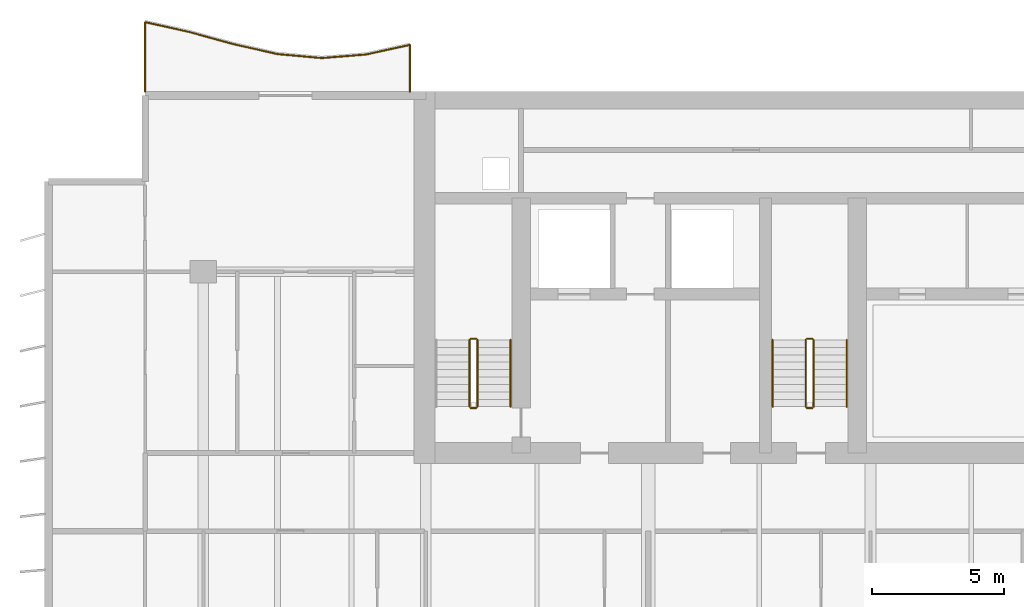
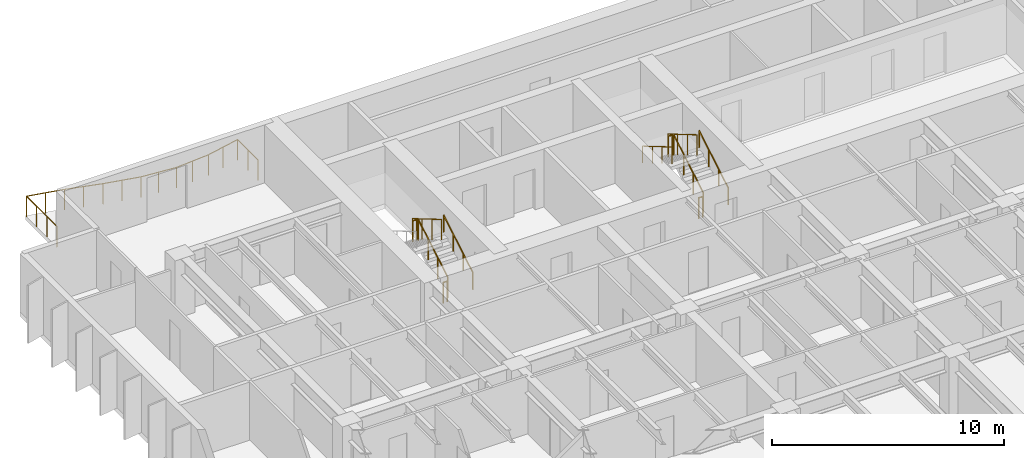
# One storey, part 13 of 15: 12 railings.
"""IFC4 building model written with IfcOpenShell, lengths in metres."""

from ifc_helpers import new_model, si_unit, direction, frame, origin, origin_2d, place, context, subcontext, project, spatial, circle, extrude, material, type_object, element, save


model = new_model("IFC4")

# Units and contexts
model_context = context("Model", 3, precision=1e-05, world=origin(), true_north=direction((0.0, 1.0)))
body_context = subcontext(model_context, "Body", "Model", "MODEL_VIEW")
ifc_project = project(units=[si_unit("LENGTHUNIT", "METRE"), si_unit("AREAUNIT", "SQUARE_METRE"), si_unit("VOLUMEUNIT", "CUBIC_METRE"), si_unit("PLANEANGLEUNIT", "RADIAN"), si_unit("MASSUNIT", "GRAM", prefix="KILO")], contexts=[model_context])

# Site, building, storey
site_placement = place(None, origin())
site = spatial("IfcSite", under=ifc_project, at=site_placement, CompositionType="ELEMENT")
building_placement = place(site_placement, origin())
building = spatial("IfcBuilding", under=site, at=building_placement, Name="Caelmar Bay Residences", CompositionType="ELEMENT")
storey_placement = place(building_placement, frame((0.0, 0.0, 132.300048828125)))
storey = spatial("IfcBuildingStorey", under=building, at=storey_placement, Name="L36", CompositionType="ELEMENT", Elevation=132.300048828125)

# Railings
ifc_material_1 = material(Name="Anodised bronze handrail with laminated hurricane glass infill", Category="glass")
railing_type_1 = type_object("IfcRailingType", Name="RL-BAL-1100", PredefinedType="BALUSTRADE", material=ifc_material_1)
railing_1_placement = place(storey_placement, frame((17.699951171875, 50.60009765625, 0.0)))
element("IfcRailing", 1, at=railing_1_placement, inside=storey, type_object=railing_type_1, Name="L36 north_west Balcony Balustrade", PredefinedType="BALUSTRADE", context=body_context, shape_type="SweptSolid", body=[
    extrude(circle(Radius=0.02392578125, at=origin_2d()), frame((0.0, 0.0, 1.076171875), z_axis=(0.0, 1.0, 0.0), x_axis=(-1.0, 0.0, 0.0)), (0.0, 0.0, 1.0), 1.766845703125),
    extrude(circle(Radius=0.02392578125, at=origin_2d()), frame((0.0, 1.766845703125, 1.076171875), z_axis=(-0.976912151589, -0.213641400663, 0.0), x_axis=(0.213641400663, -0.976912151589, 0.0)), (0.0, 0.0, 1.0), 1.7060546875),
    extrude(circle(Radius=0.02392578125, at=origin_2d()), frame((-1.666748046875, 1.40234375, 1.076171875), z_axis=(-0.996862466726, -0.079153158067, 0.0), x_axis=(0.079153158067, -0.996862466726, 0.0)), (0.0, 0.0, 1.0), 1.671630859375),
    extrude(circle(Radius=0.02392578125, at=origin_2d()), frame((-3.333251953125, 1.27001953125, 1.076171875), z_axis=(-0.995980037416, 0.08957547136, 0.0), x_axis=(-0.08957547136, -0.995980037416, 0.0)), (0.0, 0.0, 1.0), 1.673583984375),
    extrude(circle(Radius=0.02392578125, at=origin_2d()), frame((-5.0, 1.419921875, 1.076171875), z_axis=(-0.975550811442, 0.219774007324, 0.0), x_axis=(-0.219774007324, -0.975550811442, 0.0)), (0.0, 0.0, 1.0), 1.70849609375),
    extrude(circle(Radius=0.02392578125, at=origin_2d()), frame((-6.666748046875, 1.79541015625, 1.076171875), z_axis=(-0.963993866583, 0.265924472718, 0.0), x_axis=(-0.265924472718, -0.963993866583, 0.0)), (0.0, 0.0, 1.0), 1.728759765625),
    extrude(circle(Radius=0.02392578125, at=origin_2d()), frame((-8.333251953125, 2.255126953125, 1.076171875), z_axis=(-0.976038819589, 0.21759646747, 0.0), x_axis=(-0.21759646747, -0.976038819589, 0.0)), (0.0, 0.0, 1.0), 1.707763671875),
    extrude(circle(Radius=0.02392578125, at=origin_2d()), frame((-10.0, 2.626708984375, 1.076171875), z_axis=(0.0, -1.0, 0.0), x_axis=(1.0, 0.0, 0.0)), (0.0, 0.0, 1.0), 2.626708984375),
    extrude(circle(Radius=0.02099609375, at=origin_2d()), origin(), (0.0, 0.0, 1.0), 1.052001953125),
    extrude(circle(Radius=0.02099609375, at=origin_2d()), frame((0.0, 0.88330078125, 0.0)), (0.0, 0.0, 1.0), 1.052001953125),
    extrude(circle(Radius=0.02099609375, at=origin_2d()), frame((0.0, 1.766845703125, 0.0)), (0.0, 0.0, 1.0), 1.052001953125),
    extrude(circle(Radius=0.02099609375, at=origin_2d()), frame((-0.83349609375, 1.58447265625, 0.0)), (0.0, 0.0, 1.0), 1.052001953125),
    extrude(circle(Radius=0.02099609375, at=origin_2d()), frame((-1.666748046875, 1.40234375, 0.0)), (0.0, 0.0, 1.0), 1.052001953125),
    extrude(circle(Radius=0.02099609375, at=origin_2d()), frame((-2.5, 1.336181640625, 0.0)), (0.0, 0.0, 1.0), 1.052001953125),
    extrude(circle(Radius=0.02099609375, at=origin_2d()), frame((-3.333251953125, 1.27001953125, 0.0)), (0.0, 0.0, 1.0), 1.052001953125),
    extrude(circle(Radius=0.02099609375, at=origin_2d()), frame((-4.16650390625, 1.344970703125, 0.0)), (0.0, 0.0, 1.0), 1.052001953125),
    extrude(circle(Radius=0.02099609375, at=origin_2d()), frame((-5.0, 1.419921875, 0.0)), (0.0, 0.0, 1.0), 1.052001953125),
    extrude(circle(Radius=0.02099609375, at=origin_2d()), frame((-5.83349609375, 1.607666015625, 0.0)), (0.0, 0.0, 1.0), 1.052001953125),
    extrude(circle(Radius=0.02099609375, at=origin_2d()), frame((-6.666748046875, 1.79541015625, 0.0)), (0.0, 0.0, 1.0), 1.052001953125),
    extrude(circle(Radius=0.02099609375, at=origin_2d()), frame((-7.5, 2.025390625, 0.0)), (0.0, 0.0, 1.0), 1.052001953125),
    extrude(circle(Radius=0.02099609375, at=origin_2d()), frame((-8.333251953125, 2.255126953125, 0.0)), (0.0, 0.0, 1.0), 1.052001953125),
    extrude(circle(Radius=0.02099609375, at=origin_2d()), frame((-9.16650390625, 2.44091796875, 0.0)), (0.0, 0.0, 1.0), 1.052001953125),
    extrude(circle(Radius=0.02099609375, at=origin_2d()), frame((-10.0, 2.626708984375, 0.0)), (0.0, 0.0, 1.0), 1.052001953125),
    extrude(circle(Radius=0.02099609375, at=origin_2d()), frame((-10.0, 1.751220703125, 0.0)), (0.0, 0.0, 1.0), 1.052001953125),
    extrude(circle(Radius=0.02099609375, at=origin_2d()), frame((-10.0, 0.87548828125, 0.0)), (0.0, 0.0, 1.0), 1.052001953125),
    extrude(circle(Radius=0.02099609375, at=origin_2d()), frame((-10.0, 0.0, 0.0)), (0.0, 0.0, 1.0), 1.052001953125),
])
ifc_material_2 = material(Name="Painted galvanized steel stair guard 1100 mm", Category="steel")
railing_type_2 = type_object("IfcRailingType", Name="RL-GRD-1100", PredefinedType="GUARDRAIL", material=ifc_material_2)
railing_2_placement = place(storey_placement, frame((20.25, 38.699951171875, 0.1650390625)))
element("IfcRailing", 2, at=railing_2_placement, inside=storey, type_object=railing_type_2, Name="L36 ST1 stair guard 1", PredefinedType="GUARDRAIL", context=body_context, shape_type="SweptSolid", body=[
    extrude(circle(Radius=0.02392578125, at=origin_2d()), frame((0.0, 0.0, 1.076171875), z_axis=(0.0, 0.861560626758, 0.507654692109), x_axis=(-1.0, 0.0, 0.0)), (0.0, 0.0, 1.0), 2.925048828125),
    extrude(circle(Radius=0.02099609375, at=origin_2d()), origin(), (0.0, 0.0, 1.0), 1.052001953125),
    extrude(circle(Radius=0.02099609375, at=origin_2d()), frame((0.0, 0.840087890625, 0.494873046875)), (0.0, 0.0, 1.0), 1.052001953125),
    extrude(circle(Radius=0.02099609375, at=origin_2d()), frame((0.0, 1.679931640625, 0.989990234375)), (0.0, 0.0, 1.0), 1.052001953125),
    extrude(circle(Radius=0.02099609375, at=origin_2d()), frame((0.0, 2.52001953125, 1.48486328125)), (0.0, 0.0, 1.0), 1.052001953125),
])
railing_3_placement = place(storey_placement, frame((20.199951171875, 41.27001953125, 1.64990234375)))
element("IfcRailing", 3, at=railing_3_placement, inside=storey, type_object=railing_type_2, Name="L36 ST1 stair guard 2", PredefinedType="GUARDRAIL", context=body_context, shape_type="SweptSolid", body=[
    extrude(circle(Radius=0.02392578125, at=origin_2d()), frame((0.0, 0.0, 1.076171875), z_axis=(-1.0, 0.0, 0.0), x_axis=(0.0, -1.0, 0.0)), (0.0, 0.0, 1.0), 0.199951171875),
    extrude(circle(Radius=0.02099609375, at=origin_2d()), origin(), (0.0, 0.0, 1.0), 1.052001953125),
    extrude(circle(Radius=0.02099609375, at=origin_2d()), frame((-0.199951171875, 0.0, 0.0)), (0.0, 0.0, 1.0), 1.052001953125),
])
railing_4_placement = place(storey_placement, frame((19.949951171875, 41.219970703125, 1.81494140625)))
element("IfcRailing", 4, at=railing_4_placement, inside=storey, type_object=railing_type_2, Name="L36 ST1 stair guard 3", PredefinedType="GUARDRAIL", context=body_context, shape_type="SweptSolid", body=[
    extrude(circle(Radius=0.02392578125, at=origin_2d()), frame((0.0, 0.0, 1.076171875), z_axis=(0.0, -0.86152411907, 0.507716645641), x_axis=(1.0, 0.0, 0.0)), (0.0, 0.0, 1.0), 2.925048828125),
    extrude(circle(Radius=0.02099609375, at=origin_2d()), origin(), (0.0, 0.0, 1.0), 1.052001953125),
    extrude(circle(Radius=0.02099609375, at=origin_2d()), frame((0.0, -0.840087890625, 0.4951171875)), (0.0, 0.0, 1.0), 1.052001953125),
    extrude(circle(Radius=0.02099609375, at=origin_2d()), frame((0.0, -1.679931640625, 0.989990234375)), (0.0, 0.0, 1.0), 1.052001953125),
    extrude(circle(Radius=0.02099609375, at=origin_2d()), frame((0.0, -2.52001953125, 1.485107421875)), (0.0, 0.0, 1.0), 1.052001953125),
])
railing_5_placement = place(storey_placement, frame((20.199951171875, 38.64990234375, 0.0)))
element("IfcRailing", 5, at=railing_5_placement, inside=storey, type_object=railing_type_2, Name="L36 ST1 stair guard 4", PredefinedType="GUARDRAIL", context=body_context, shape_type="SweptSolid", body=[
    extrude(circle(Radius=0.02392578125, at=origin_2d()), frame((0.0, 0.0, 1.076171875), z_axis=(-1.0, 0.0, 0.0), x_axis=(0.0, -1.0, 0.0)), (0.0, 0.0, 1.0), 0.199951171875),
    extrude(circle(Radius=0.02099609375, at=origin_2d()), origin(), (0.0, 0.0, 1.0), 1.052001953125),
    extrude(circle(Radius=0.02099609375, at=origin_2d()), frame((-0.199951171875, 0.0, 0.0)), (0.0, 0.0, 1.0), 1.052001953125),
])
railing_6_placement = place(storey_placement, frame((32.949951171875, 38.699951171875, 0.1650390625)))
element("IfcRailing", 6, at=railing_6_placement, inside=storey, type_object=railing_type_2, Name="L36 ST3 stair guard 1", PredefinedType="GUARDRAIL", context=body_context, shape_type="SweptSolid", body=[
    extrude(circle(Radius=0.02392578125, at=origin_2d()), frame((0.0, 0.0, 1.076171875), z_axis=(0.0, 0.861560626758, 0.507654692109), x_axis=(-1.0, 0.0, 0.0)), (0.0, 0.0, 1.0), 2.925048828125),
    extrude(circle(Radius=0.02099609375, at=origin_2d()), origin(), (0.0, 0.0, 1.0), 1.052001953125),
    extrude(circle(Radius=0.02099609375, at=origin_2d()), frame((0.0, 0.840087890625, 0.494873046875)), (0.0, 0.0, 1.0), 1.052001953125),
    extrude(circle(Radius=0.02099609375, at=origin_2d()), frame((0.0, 1.679931640625, 0.989990234375)), (0.0, 0.0, 1.0), 1.052001953125),
    extrude(circle(Radius=0.02099609375, at=origin_2d()), frame((0.0, 2.52001953125, 1.48486328125)), (0.0, 0.0, 1.0), 1.052001953125),
])
railing_7_placement = place(storey_placement, frame((32.89990234375, 41.27001953125, 1.64990234375)))
element("IfcRailing", 7, at=railing_7_placement, inside=storey, type_object=railing_type_2, Name="L36 ST3 stair guard 2", PredefinedType="GUARDRAIL", context=body_context, shape_type="SweptSolid", body=[
    extrude(circle(Radius=0.02392578125, at=origin_2d()), frame((0.0, 0.0, 1.076171875), z_axis=(-1.0, 0.0, 0.0), x_axis=(0.0, -1.0, 0.0)), (0.0, 0.0, 1.0), 0.199951171875),
    extrude(circle(Radius=0.02099609375, at=origin_2d()), origin(), (0.0, 0.0, 1.0), 1.052001953125),
    extrude(circle(Radius=0.02099609375, at=origin_2d()), frame((-0.199951171875, 0.0, 0.0)), (0.0, 0.0, 1.0), 1.052001953125),
])
railing_8_placement = place(storey_placement, frame((32.64990234375, 41.219970703125, 1.81494140625)))
element("IfcRailing", 8, at=railing_8_placement, inside=storey, type_object=railing_type_2, Name="L36 ST3 stair guard 3", PredefinedType="GUARDRAIL", context=body_context, shape_type="SweptSolid", body=[
    extrude(circle(Radius=0.02392578125, at=origin_2d()), frame((0.0, 0.0, 1.076171875), z_axis=(0.0, -0.86152411907, 0.507716645641), x_axis=(1.0, 0.0, 0.0)), (0.0, 0.0, 1.0), 2.925048828125),
    extrude(circle(Radius=0.02099609375, at=origin_2d()), origin(), (0.0, 0.0, 1.0), 1.052001953125),
    extrude(circle(Radius=0.02099609375, at=origin_2d()), frame((0.0, -0.840087890625, 0.4951171875)), (0.0, 0.0, 1.0), 1.052001953125),
    extrude(circle(Radius=0.02099609375, at=origin_2d()), frame((0.0, -1.679931640625, 0.989990234375)), (0.0, 0.0, 1.0), 1.052001953125),
    extrude(circle(Radius=0.02099609375, at=origin_2d()), frame((0.0, -2.52001953125, 1.485107421875)), (0.0, 0.0, 1.0), 1.052001953125),
])
railing_9_placement = place(storey_placement, frame((32.89990234375, 38.64990234375, 0.0)))
element("IfcRailing", 9, at=railing_9_placement, inside=storey, type_object=railing_type_2, Name="L36 ST3 stair guard 4", PredefinedType="GUARDRAIL", context=body_context, shape_type="SweptSolid", body=[
    extrude(circle(Radius=0.02392578125, at=origin_2d()), frame((0.0, 0.0, 1.076171875), z_axis=(-1.0, 0.0, 0.0), x_axis=(0.0, -1.0, 0.0)), (0.0, 0.0, 1.0), 0.199951171875),
    extrude(circle(Radius=0.02099609375, at=origin_2d()), origin(), (0.0, 0.0, 1.0), 1.052001953125),
    extrude(circle(Radius=0.02099609375, at=origin_2d()), frame((-0.199951171875, 0.0, 0.0)), (0.0, 0.0, 1.0), 1.052001953125),
])
ifc_material_3 = material(Name="Brushed bronze stainless-steel tubular handrail 900 mm", Category="steel")
railing_type_3 = type_object("IfcRailingType", Name="RL-HND-900", PredefinedType="HANDRAIL", material=ifc_material_3)
for number, where, name in (
    (10, (21.5, 38.699951171875, 0.1650390625), "L36 ST1 stair handrail 1"),
    (11, (34.199951171875, 38.699951171875, 0.1650390625), "L36 ST3 stair handrail 1"),
):
    element("IfcRailing", number, at=place(storey_placement, frame(where)), inside=storey, type_object=railing_type_3, Name=name, PredefinedType="HANDRAIL", context=body_context, shape_type="SweptSolid", body=[
        extrude(circle(Radius=0.02392578125, at=origin_2d()), frame((0.0, 0.0, 0.8759765625), z_axis=(0.0, 0.861560626758, 0.507654692109), x_axis=(-1.0, 0.0, 0.0)), (0.0, 0.0, 1.0), 2.925048828125),
        extrude(circle(Radius=0.02099609375, at=origin_2d()), origin(), (0.0, 0.0, 1.0), 0.851806640625),
        extrude(circle(Radius=0.02099609375, at=origin_2d()), frame((0.0, 0.840087890625, 0.494873046875)), (0.0, 0.0, 1.0), 0.851806640625),
        extrude(circle(Radius=0.02099609375, at=origin_2d()), frame((0.0, 1.679931640625, 0.989990234375)), (0.0, 0.0, 1.0), 0.851806640625),
        extrude(circle(Radius=0.02099609375, at=origin_2d()), frame((0.0, 2.52001953125, 1.48486328125)), (0.0, 0.0, 1.0), 0.851806640625),
    ])
railing_10_placement = place(storey_placement, frame((31.39990234375, 41.219970703125, 1.81494140625)))
element("IfcRailing", 12, at=railing_10_placement, inside=storey, type_object=railing_type_3, Name="L36 ST3 stair handrail 2", PredefinedType="HANDRAIL", context=body_context, shape_type="SweptSolid", body=[
    extrude(circle(Radius=0.02392578125, at=origin_2d()), frame((0.0, 0.0, 0.8759765625), z_axis=(0.0, -0.86152411907, 0.507716645641), x_axis=(1.0, 0.0, 0.0)), (0.0, 0.0, 1.0), 2.925048828125),
    extrude(circle(Radius=0.02099609375, at=origin_2d()), origin(), (0.0, 0.0, 1.0), 0.851806640625),
    extrude(circle(Radius=0.02099609375, at=origin_2d()), frame((0.0, -0.840087890625, 0.4951171875)), (0.0, 0.0, 1.0), 0.851806640625),
    extrude(circle(Radius=0.02099609375, at=origin_2d()), frame((0.0, -1.679931640625, 0.989990234375)), (0.0, 0.0, 1.0), 0.851806640625),
    extrude(circle(Radius=0.02099609375, at=origin_2d()), frame((0.0, -2.52001953125, 1.485107421875)), (0.0, 0.0, 1.0), 0.851806640625),
])

save(model, "model.ifc")
